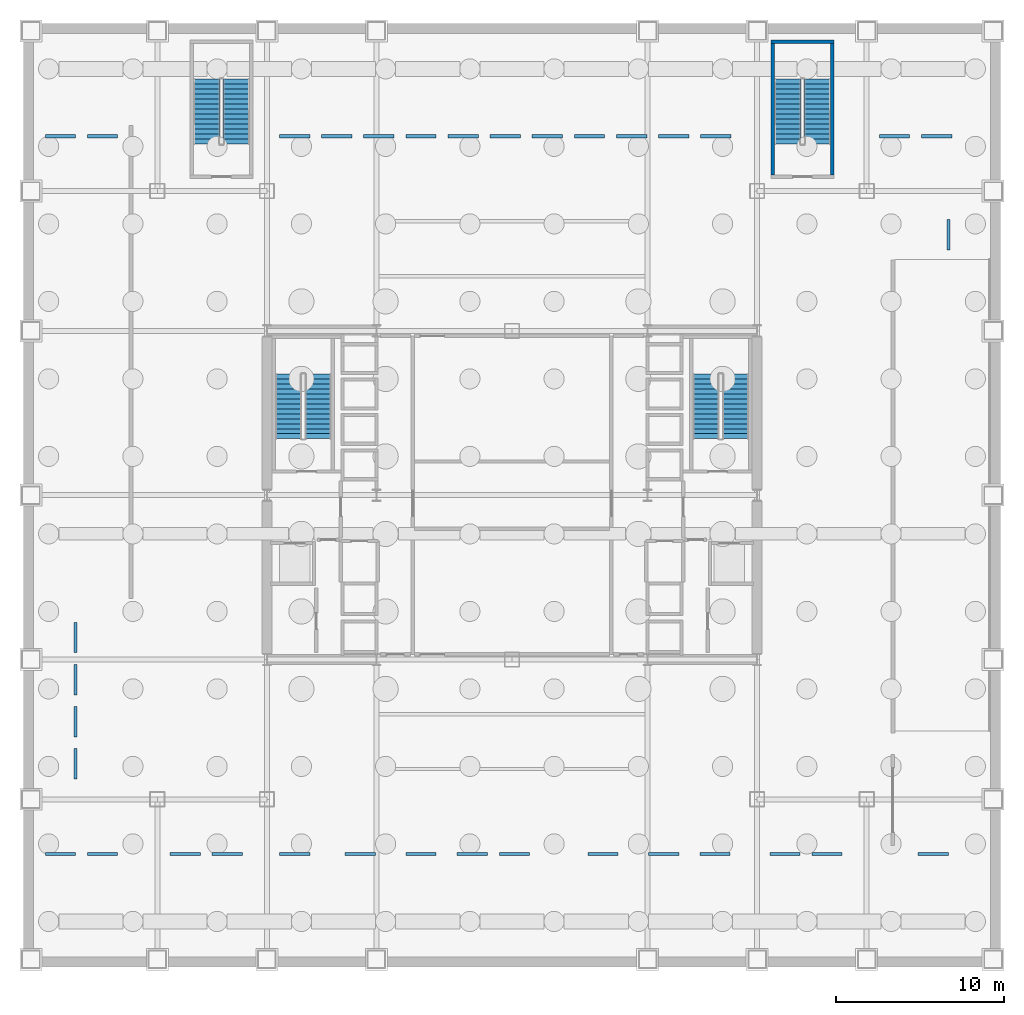
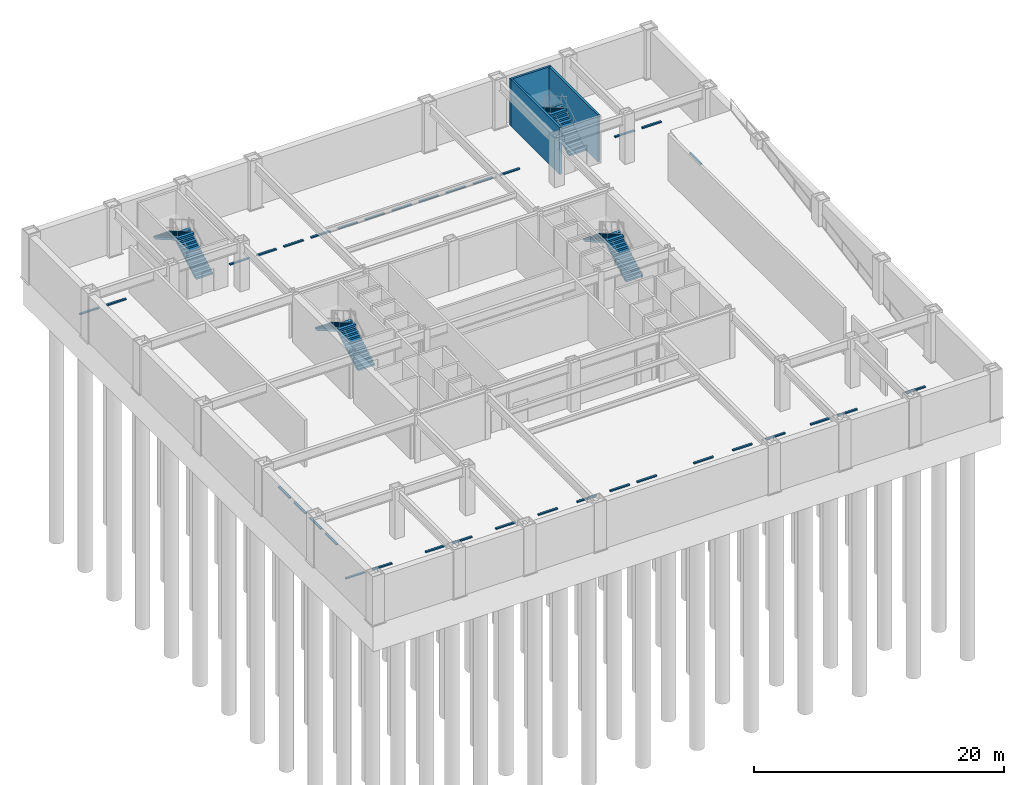
# One storey, part 5 of 8: 35 discrete accessories, 8 stair flights, 3 walls, 4 elements without a shape of their own.
"""IFC4 building model written with IfcOpenShell, lengths in metres."""

from ifc_helpers import new_model, si_unit, direction, frame, frame_2d, origin, origin_2d, place, context, subcontext, project, spatial, polyline, rectangle, outline, extrude, material, layer, layer_set, type_object, element, aggregate, save


model = new_model("IFC4")

# Units and contexts
model_context = context("Model", 3, precision=1e-05, world=origin(), true_north=direction((0.0, 1.0)))
body_context = subcontext(model_context, "Body", "Model", "MODEL_VIEW")
ifc_project = project(units=[si_unit("LENGTHUNIT", "METRE"), si_unit("AREAUNIT", "SQUARE_METRE"), si_unit("VOLUMEUNIT", "CUBIC_METRE"), si_unit("PLANEANGLEUNIT", "RADIAN"), si_unit("MASSUNIT", "GRAM", prefix="KILO")], contexts=[model_context])

# Site, building, storey
site_placement = place(None, origin())
site = spatial("IfcSite", under=ifc_project, at=site_placement, CompositionType="ELEMENT")
building_placement = place(site_placement, origin())
building = spatial("IfcBuilding", under=site, at=building_placement, Name="Brelmoor Portico Tower", CompositionType="ELEMENT")
storey_placement = place(building_placement, frame((0.0, 0.0, -9.60009765625)))
storey = spatial("IfcBuildingStorey", under=building, at=storey_placement, Name="B2", CompositionType="ELEMENT", Elevation=-9.60009765625)

# Walls
ifc_material_1 = material(Name="Concrete C40", Category="concrete")
ifc_layer = layer(ifc_material_1, 0.199951171875)
ifc_layer_set = layer_set([ifc_layer], Name="Concrete C40")
wall_type = type_object("IfcWallType", Name="WL-SHAFT-RC200", PredefinedType="SOLIDWALL", material=ifc_layer_set)
wall_placement = place(storey_placement, frame((15.3798828125, 26.89990234375, 0.0), z_axis=(0.0, 0.0, 1.0), x_axis=(1.0, 0.0, 0.0)))
element("IfcWall", 1, at=wall_placement, inside=storey, type_object=wall_type, Name="B2 ST-P2 Structural Stair Wall N", PredefinedType="SOLIDWALL", context=body_context, shape_type="SweptSolid", body=[
    extrude(rectangle(XDim=3.72021484375, YDim=0.199951171875, at=frame_2d((1.860107421875, 0.0))), origin(), (0.0, 0.0, 1.0), 4.580078125),
])
for number, where, z_axis, x_axis, name in (
    (2, (15.47998046875, 19.0, 0.0), (0.0, 0.0, 1.0), (0.0, 1.0, 0.0), "B2 ST-P2 Structural Stair Wall W"),
    (3, (19.0, 19.0, 0.0), (0.0, 0.0, 1.0), (0.0, 1.0, 0.0), "B2 ST-P2 Structural Stair Wall E"),
):
    element("IfcWall", number, at=place(storey_placement, frame(where, z_axis=z_axis, x_axis=x_axis)), inside=storey, type_object=wall_type, Name=name, PredefinedType="SOLIDWALL", context=body_context, shape_type="SweptSolid", body=[
        extrude(rectangle(XDim=7.800048828125, YDim=0.199951171875, at=frame_2d((3.89990234375, 0.0))), origin(), (0.0, 0.0, 1.0), 4.580078125),
    ])

# Stair, stair flights
stair_type_1 = type_object("IfcStairType", Name="ST-CORE-W", PredefinedType="HALF_TURN_STAIR", material=ifc_material_1)
stair_1_placement = place(storey_placement, origin())
stair_1 = element("IfcStair", 4, at=stair_1_placement, inside=storey, type_object=stair_type_1, Name="B2 Protected Core Exit Stair ST-W", PredefinedType="HALF_TURN_STAIR")
stair_flight_type = type_object("IfcStairFlightType", Name="SF-CORE-1850", PredefinedType="STRAIGHT", material=ifc_material_1)
stair_flight_1_placement = place(storey_placement, frame((-11.510009765625, 3.35009765625, 0.0), z_axis=(0.0, 0.0, 1.0), x_axis=(0.0, 1.0, 0.0)))
stair_flight_1 = element("IfcStairFlight", 5, at=stair_flight_1_placement, type_object=stair_flight_type, Name="ST-W flight 1", NumberOfRisers=14, NumberOfTreads=13, PredefinedType="STRAIGHT", RiserHeight=0.171428571, TreadLength=0.295, context=body_context, shape_type="SweptSolid", body=[
    extrude(outline(polyline([(0.0, 0.0), (0.0, 0.17138671875), (0.294921875, 0.17138671875), (0.294921875, 0.3427734375), (0.590087890625, 0.3427734375), (0.590087890625, 0.514404296875), (0.885009765625, 0.514404296875), (0.885009765625, 0.685791015625), (1.179931640625, 0.685791015625), (1.179931640625, 0.857177734375), (1.47509765625, 0.857177734375), (1.47509765625, 1.028564453125), (1.77001953125, 1.028564453125), (1.77001953125, 1.199951171875), (2.06494140625, 1.199951171875), (2.06494140625, 1.371337890625), (2.360107421875, 1.371337890625), (2.360107421875, 1.54296875), (2.655029296875, 1.54296875), (2.655029296875, 1.71435546875), (2.949951171875, 1.71435546875), (2.949951171875, 1.8857421875), (3.2451171875, 1.8857421875), (3.2451171875, 2.05712890625), (3.5400390625, 2.05712890625), (3.5400390625, 2.228515625), (3.8349609375, 2.228515625), (3.8349609375, 2.39990234375), (3.8349609375, 2.05517578125), (0.29833984375, 0.0), (0.0, 0.0)])), frame((0.0, 0.780029296875, 0.0), z_axis=(0.0, -1.0, 0.0), x_axis=(1.0, 0.0, 0.0)), (0.0, 0.0, 1.0), 1.56005859375),
])
stair_flight_2_placement = place(storey_placement, frame((-13.27001953125, 7.18505859375, 2.400146484375), z_axis=(0.0, 0.0, 1.0), x_axis=(0.0, -1.0, 0.0)))
stair_flight_2 = element("IfcStairFlight", 6, at=stair_flight_2_placement, type_object=stair_flight_type, Name="ST-W flight 2", NumberOfRisers=14, NumberOfTreads=13, PredefinedType="STRAIGHT", RiserHeight=0.171428571, TreadLength=0.295, context=body_context, shape_type="SweptSolid", body=[
    extrude(outline(polyline([(0.0, 0.0), (0.0, 0.17138671875), (0.294921875, 0.17138671875), (0.294921875, 0.3427734375), (0.590087890625, 0.3427734375), (0.590087890625, 0.514404296875), (0.885009765625, 0.514404296875), (0.885009765625, 0.685791015625), (1.179931640625, 0.685791015625), (1.179931640625, 0.857177734375), (1.47509765625, 0.857177734375), (1.47509765625, 1.028564453125), (1.77001953125, 1.028564453125), (1.77001953125, 1.199951171875), (2.06494140625, 1.199951171875), (2.06494140625, 1.371337890625), (2.360107421875, 1.371337890625), (2.360107421875, 1.54296875), (2.655029296875, 1.54296875), (2.655029296875, 1.71435546875), (2.949951171875, 1.71435546875), (2.949951171875, 1.8857421875), (3.2451171875, 1.8857421875), (3.2451171875, 2.05712890625), (3.5400390625, 2.05712890625), (3.5400390625, 2.228515625), (3.8349609375, 2.228515625), (3.8349609375, 2.39990234375), (3.8349609375, 2.05517578125), (0.29833984375, 0.0), (0.0, 0.0)])), frame((0.0, 0.780029296875, 0.0), z_axis=(0.0, -1.0, 0.0), x_axis=(1.0, 0.0, 0.0)), (0.0, 0.0, 1.0), 1.56005859375),
])
aggregate(stair_1, [stair_flight_1, stair_flight_2])

stair_type_2 = type_object("IfcStairType", Name="ST-CORE-E", PredefinedType="HALF_TURN_STAIR", material=ifc_material_1)
stair_2_placement = place(storey_placement, origin())
stair_2 = element("IfcStair", 7, at=stair_2_placement, inside=storey, type_object=stair_type_2, Name="B2 Protected Core Exit Stair ST-E", PredefinedType="HALF_TURN_STAIR")
stair_flight_3_placement = place(storey_placement, frame((13.27001953125, 3.35009765625, 0.0), z_axis=(0.0, 0.0, 1.0), x_axis=(0.0, 1.0, 0.0)))
stair_flight_3 = element("IfcStairFlight", 8, at=stair_flight_3_placement, type_object=stair_flight_type, Name="ST-E flight 1", NumberOfRisers=14, NumberOfTreads=13, PredefinedType="STRAIGHT", RiserHeight=0.171428571, TreadLength=0.295, context=body_context, shape_type="SweptSolid", body=[
    extrude(outline(polyline([(0.0, 0.0), (0.0, 0.17138671875), (0.294921875, 0.17138671875), (0.294921875, 0.3427734375), (0.590087890625, 0.3427734375), (0.590087890625, 0.514404296875), (0.885009765625, 0.514404296875), (0.885009765625, 0.685791015625), (1.179931640625, 0.685791015625), (1.179931640625, 0.857177734375), (1.47509765625, 0.857177734375), (1.47509765625, 1.028564453125), (1.77001953125, 1.028564453125), (1.77001953125, 1.199951171875), (2.06494140625, 1.199951171875), (2.06494140625, 1.371337890625), (2.360107421875, 1.371337890625), (2.360107421875, 1.54296875), (2.655029296875, 1.54296875), (2.655029296875, 1.71435546875), (2.949951171875, 1.71435546875), (2.949951171875, 1.8857421875), (3.2451171875, 1.8857421875), (3.2451171875, 2.05712890625), (3.5400390625, 2.05712890625), (3.5400390625, 2.228515625), (3.8349609375, 2.228515625), (3.8349609375, 2.39990234375), (3.8349609375, 2.05517578125), (0.29833984375, 0.0), (0.0, 0.0)])), frame((0.0, 0.780029296875, 0.0), z_axis=(0.0, -1.0, 0.0), x_axis=(1.0, 0.0, 0.0)), (0.0, 0.0, 1.0), 1.56005859375),
])
stair_flight_4_placement = place(storey_placement, frame((11.510009765625, 7.18505859375, 2.400146484375), z_axis=(0.0, 0.0, 1.0), x_axis=(0.0, -1.0, 0.0)))
stair_flight_4 = element("IfcStairFlight", 9, at=stair_flight_4_placement, type_object=stair_flight_type, Name="ST-E flight 2", NumberOfRisers=14, NumberOfTreads=13, PredefinedType="STRAIGHT", RiserHeight=0.171428571, TreadLength=0.295, context=body_context, shape_type="SweptSolid", body=[
    extrude(outline(polyline([(0.0, 0.0), (0.0, 0.17138671875), (0.294921875, 0.17138671875), (0.294921875, 0.3427734375), (0.590087890625, 0.3427734375), (0.590087890625, 0.514404296875), (0.885009765625, 0.514404296875), (0.885009765625, 0.685791015625), (1.179931640625, 0.685791015625), (1.179931640625, 0.857177734375), (1.47509765625, 0.857177734375), (1.47509765625, 1.028564453125), (1.77001953125, 1.028564453125), (1.77001953125, 1.199951171875), (2.06494140625, 1.199951171875), (2.06494140625, 1.371337890625), (2.360107421875, 1.371337890625), (2.360107421875, 1.54296875), (2.655029296875, 1.54296875), (2.655029296875, 1.71435546875), (2.949951171875, 1.71435546875), (2.949951171875, 1.8857421875), (3.2451171875, 1.8857421875), (3.2451171875, 2.05712890625), (3.5400390625, 2.05712890625), (3.5400390625, 2.228515625), (3.8349609375, 2.228515625), (3.8349609375, 2.39990234375), (3.8349609375, 2.05517578125), (0.29833984375, 0.0), (0.0, 0.0)])), frame((0.0, 0.780029296875, 0.0), z_axis=(0.0, -1.0, 0.0), x_axis=(1.0, 0.0, 0.0)), (0.0, 0.0, 1.0), 1.56005859375),
])
aggregate(stair_2, [stair_flight_3, stair_flight_4])

stair_type_3 = type_object("IfcStairType", Name="ST-POD-P1", PredefinedType="HALF_TURN_STAIR", material=ifc_material_1)
stair_3_placement = place(storey_placement, origin())
stair_3 = element("IfcStair", 10, at=stair_3_placement, inside=storey, type_object=stair_type_3, Name="B2 Podium Protected Exit Stair ST-P1", PredefinedType="HALF_TURN_STAIR")
stair_flight_5_placement = place(storey_placement, frame((-16.360107421875, 20.85009765625, 0.0), z_axis=(0.0, 0.0, 1.0), x_axis=(0.0, 1.0, 0.0)))
stair_flight_5 = element("IfcStairFlight", 11, at=stair_flight_5_placement, type_object=stair_flight_type, Name="ST-P1 flight 1", NumberOfRisers=14, NumberOfTreads=13, PredefinedType="STRAIGHT", RiserHeight=0.171428571, TreadLength=0.295, context=body_context, shape_type="SweptSolid", body=[
    extrude(outline(polyline([(0.0, 0.0), (0.0, 0.17138671875), (0.294921875, 0.17138671875), (0.294921875, 0.3427734375), (0.590087890625, 0.3427734375), (0.590087890625, 0.514404296875), (0.885009765625, 0.514404296875), (0.885009765625, 0.685791015625), (1.179931640625, 0.685791015625), (1.179931640625, 0.857177734375), (1.47509765625, 0.857177734375), (1.47509765625, 1.028564453125), (1.77001953125, 1.028564453125), (1.77001953125, 1.199951171875), (2.06494140625, 1.199951171875), (2.06494140625, 1.371337890625), (2.360107421875, 1.371337890625), (2.360107421875, 1.54296875), (2.655029296875, 1.54296875), (2.655029296875, 1.71435546875), (2.949951171875, 1.71435546875), (2.949951171875, 1.8857421875), (3.2451171875, 1.8857421875), (3.2451171875, 2.05712890625), (3.5400390625, 2.05712890625), (3.5400390625, 2.228515625), (3.8349609375, 2.228515625), (3.8349609375, 2.39990234375), (3.8349609375, 2.05517578125), (0.29833984375, 0.0), (0.0, 0.0)])), frame((0.0, 0.780029296875, 0.0), z_axis=(0.0, -1.0, 0.0), x_axis=(1.0, 0.0, 0.0)), (0.0, 0.0, 1.0), 1.56005859375),
])
stair_flight_6_placement = place(storey_placement, frame((-18.1201171875, 24.68505859375, 2.400146484375), z_axis=(0.0, 0.0, 1.0), x_axis=(0.0, -1.0, 0.0)))
stair_flight_6 = element("IfcStairFlight", 12, at=stair_flight_6_placement, type_object=stair_flight_type, Name="ST-P1 flight 2", NumberOfRisers=14, NumberOfTreads=13, PredefinedType="STRAIGHT", RiserHeight=0.171428571, TreadLength=0.295, context=body_context, shape_type="SweptSolid", body=[
    extrude(outline(polyline([(0.0, 0.0), (0.0, 0.17138671875), (0.294921875, 0.17138671875), (0.294921875, 0.3427734375), (0.590087890625, 0.3427734375), (0.590087890625, 0.514404296875), (0.885009765625, 0.514404296875), (0.885009765625, 0.685791015625), (1.179931640625, 0.685791015625), (1.179931640625, 0.857177734375), (1.47509765625, 0.857177734375), (1.47509765625, 1.028564453125), (1.77001953125, 1.028564453125), (1.77001953125, 1.199951171875), (2.06494140625, 1.199951171875), (2.06494140625, 1.371337890625), (2.360107421875, 1.371337890625), (2.360107421875, 1.54296875), (2.655029296875, 1.54296875), (2.655029296875, 1.71435546875), (2.949951171875, 1.71435546875), (2.949951171875, 1.8857421875), (3.2451171875, 1.8857421875), (3.2451171875, 2.05712890625), (3.5400390625, 2.05712890625), (3.5400390625, 2.228515625), (3.8349609375, 2.228515625), (3.8349609375, 2.39990234375), (3.8349609375, 2.05517578125), (0.29833984375, 0.0), (0.0, 0.0)])), frame((0.0, 0.780029296875, 0.0), z_axis=(0.0, -1.0, 0.0), x_axis=(1.0, 0.0, 0.0)), (0.0, 0.0, 1.0), 1.56005859375),
])
aggregate(stair_3, [stair_flight_5, stair_flight_6])

stair_type_4 = type_object("IfcStairType", Name="ST-POD-P2", PredefinedType="HALF_TURN_STAIR", material=ifc_material_1)
stair_4_placement = place(storey_placement, origin())
stair_4 = element("IfcStair", 13, at=stair_4_placement, inside=storey, type_object=stair_type_4, Name="B2 Podium Protected Exit Stair ST-P2", PredefinedType="HALF_TURN_STAIR")
stair_flight_7_placement = place(storey_placement, frame((18.1201171875, 20.85009765625, 0.0), z_axis=(0.0, 0.0, 1.0), x_axis=(0.0, 1.0, 0.0)))
stair_flight_7 = element("IfcStairFlight", 14, at=stair_flight_7_placement, type_object=stair_flight_type, Name="ST-P2 flight 1", NumberOfRisers=14, NumberOfTreads=13, PredefinedType="STRAIGHT", RiserHeight=0.171428571, TreadLength=0.295, context=body_context, shape_type="SweptSolid", body=[
    extrude(outline(polyline([(0.0, 0.0), (0.0, 0.17138671875), (0.294921875, 0.17138671875), (0.294921875, 0.3427734375), (0.590087890625, 0.3427734375), (0.590087890625, 0.514404296875), (0.885009765625, 0.514404296875), (0.885009765625, 0.685791015625), (1.179931640625, 0.685791015625), (1.179931640625, 0.857177734375), (1.47509765625, 0.857177734375), (1.47509765625, 1.028564453125), (1.77001953125, 1.028564453125), (1.77001953125, 1.199951171875), (2.06494140625, 1.199951171875), (2.06494140625, 1.371337890625), (2.360107421875, 1.371337890625), (2.360107421875, 1.54296875), (2.655029296875, 1.54296875), (2.655029296875, 1.71435546875), (2.949951171875, 1.71435546875), (2.949951171875, 1.8857421875), (3.2451171875, 1.8857421875), (3.2451171875, 2.05712890625), (3.5400390625, 2.05712890625), (3.5400390625, 2.228515625), (3.8349609375, 2.228515625), (3.8349609375, 2.39990234375), (3.8349609375, 2.05517578125), (0.29833984375, 0.0), (0.0, 0.0)])), frame((0.0, 0.780029296875, 0.0), z_axis=(0.0, -1.0, 0.0), x_axis=(1.0, 0.0, 0.0)), (0.0, 0.0, 1.0), 1.56005859375),
])
stair_flight_8_placement = place(storey_placement, frame((16.360107421875, 24.68505859375, 2.400146484375), z_axis=(0.0, 0.0, 1.0), x_axis=(0.0, -1.0, 0.0)))
stair_flight_8 = element("IfcStairFlight", 15, at=stair_flight_8_placement, type_object=stair_flight_type, Name="ST-P2 flight 2", NumberOfRisers=14, NumberOfTreads=13, PredefinedType="STRAIGHT", RiserHeight=0.171428571, TreadLength=0.295, context=body_context, shape_type="SweptSolid", body=[
    extrude(outline(polyline([(0.0, 0.0), (0.0, 0.17138671875), (0.294921875, 0.17138671875), (0.294921875, 0.3427734375), (0.590087890625, 0.3427734375), (0.590087890625, 0.514404296875), (0.885009765625, 0.514404296875), (0.885009765625, 0.685791015625), (1.179931640625, 0.685791015625), (1.179931640625, 0.857177734375), (1.47509765625, 0.857177734375), (1.47509765625, 1.028564453125), (1.77001953125, 1.028564453125), (1.77001953125, 1.199951171875), (2.06494140625, 1.199951171875), (2.06494140625, 1.371337890625), (2.360107421875, 1.371337890625), (2.360107421875, 1.54296875), (2.655029296875, 1.54296875), (2.655029296875, 1.71435546875), (2.949951171875, 1.71435546875), (2.949951171875, 1.8857421875), (3.2451171875, 1.8857421875), (3.2451171875, 2.05712890625), (3.5400390625, 2.05712890625), (3.5400390625, 2.228515625), (3.8349609375, 2.228515625), (3.8349609375, 2.39990234375), (3.8349609375, 2.05517578125), (0.29833984375, 0.0), (0.0, 0.0)])), frame((0.0, 0.780029296875, 0.0), z_axis=(0.0, -1.0, 0.0), x_axis=(1.0, 0.0, 0.0)), (0.0, 0.0, 1.0), 1.56005859375),
])
aggregate(stair_4, [stair_flight_7, stair_flight_8])

# Discrete accessories
ifc_material_2 = material(Name="Precast Concrete C40", Category="concrete")
discrete_accessory_type = type_object("IfcDiscreteAccessoryType", Name="AC-WHEEL-STOP", PredefinedType="USERDEFINED", material=ifc_material_2)
for number, where, z_axis, x_axis, name in (
    (16, (-26.800048828125, 21.300048828125, 0.0), (0.0, 0.0, 1.0), (1.0, 0.0, 0.0), "B2 Standard Car Parking Bay Wheel Stop PB-001"),
    (17, (-24.300048828125, 21.300048828125, 0.0), (0.0, 0.0, 1.0), (1.0, 0.0, 0.0), "B2 Standard Car Parking Bay Wheel Stop PB-002"),
    (18, (-12.89990234375, 21.300048828125, 0.0), (0.0, 0.0, 1.0), (1.0, 0.0, 0.0), "B2 Standard Car Parking Bay Wheel Stop PB-003"),
    (19, (-10.39990234375, 21.300048828125, 0.0), (0.0, 0.0, 1.0), (1.0, 0.0, 0.0), "B2 Standard Car Parking Bay Wheel Stop PB-004"),
    (20, (-7.89990234375, 21.300048828125, 0.0), (0.0, 0.0, 1.0), (1.0, 0.0, 0.0), "B2 Standard Car Parking Bay Wheel Stop PB-005"),
    (21, (-5.39990234375, 21.300048828125, 0.0), (0.0, 0.0, 1.0), (1.0, 0.0, 0.0), "B2 Standard Car Parking Bay Wheel Stop PB-006"),
    (22, (-2.89990234375, 21.300048828125, 0.0), (0.0, 0.0, 1.0), (1.0, 0.0, 0.0), "B2 Standard Car Parking Bay Wheel Stop PB-007"),
    (23, (-0.39990234375, 21.300048828125, 0.0), (0.0, 0.0, 1.0), (1.0, 0.0, 0.0), "B2 Standard Car Parking Bay Wheel Stop PB-008"),
    (24, (2.10009765625, 21.300048828125, 0.0), (0.0, 0.0, 1.0), (1.0, 0.0, 0.0), "B2 Standard Car Parking Bay Wheel Stop PB-009"),
    (25, (4.60009765625, 21.300048828125, 0.0), (0.0, 0.0, 1.0), (1.0, 0.0, 0.0), "B2 Standard Car Parking Bay Wheel Stop PB-010"),
    (26, (7.10009765625, 21.300048828125, 0.0), (0.0, 0.0, 1.0), (1.0, 0.0, 0.0), "B2 Standard Car Parking Bay Wheel Stop PB-011"),
    (27, (9.60009765625, 21.300048828125, 0.0), (0.0, 0.0, 1.0), (1.0, 0.0, 0.0), "B2 Standard Car Parking Bay Wheel Stop PB-012"),
    (28, (12.10009765625, 21.300048828125, 0.0), (0.0, 0.0, 1.0), (1.0, 0.0, 0.0), "B2 Standard Car Parking Bay Wheel Stop PB-013"),
    (29, (22.699951171875, 21.300048828125, 0.0), (0.0, 0.0, 1.0), (1.0, 0.0, 0.0), "B2 Standard Car Parking Bay Wheel Stop PB-014"),
    (30, (25.199951171875, 21.300048828125, 0.0), (0.0, 0.0, 1.0), (1.0, 0.0, 0.0), "B2 Standard Car Parking Bay Wheel Stop PB-015"),
    (31, (-26.800048828125, -21.300048828125, 0.0), (0.0, 0.0, 1.0), (1.0, 0.0, 0.0), "B2 Standard Car Parking Bay Wheel Stop PB-016"),
    (32, (-24.300048828125, -21.300048828125, 0.0), (0.0, 0.0, 1.0), (1.0, 0.0, 0.0), "B2 Standard Car Parking Bay Wheel Stop PB-017"),
    (33, (-19.39990234375, -21.300048828125, 0.0), (0.0, 0.0, 1.0), (1.0, 0.0, 0.0), "B2 Standard Car Parking Bay Wheel Stop PB-018"),
    (34, (-16.89990234375, -21.300048828125, 0.0), (0.0, 0.0, 1.0), (1.0, 0.0, 0.0), "B2 Standard Car Parking Bay Wheel Stop PB-019"),
    (35, (-12.89990234375, -21.300048828125, 0.0), (0.0, 0.0, 1.0), (1.0, 0.0, 0.0), "B2 Standard Car Parking Bay Wheel Stop PB-020"),
    (36, (-9.0, -21.300048828125, 0.0), (0.0, 0.0, 1.0), (1.0, 0.0, 0.0), "B2 Accessible Parking Bay Wheel Stop AP-01"),
    (37, (-5.39990234375, -21.300048828125, 0.0), (0.0, 0.0, 1.0), (1.0, 0.0, 0.0), "B2 Accessible Parking Bay Wheel Stop AP-02"),
    (38, (-2.35009765625, -21.300048828125, 0.0), (0.0, 0.0, 1.0), (1.0, 0.0, 0.0), "B2 Standard Car Parking Bay Wheel Stop PB-021"),
    (39, (0.14990234375, -21.300048828125, 0.0), (0.0, 0.0, 1.0), (1.0, 0.0, 0.0), "B2 Standard Car Parking Bay Wheel Stop PB-022"),
    (40, (5.39990234375, -21.300048828125, 0.0), (0.0, 0.0, 1.0), (1.0, 0.0, 0.0), "B2 Accessible Parking Bay Wheel Stop AP-03"),
    (41, (9.0, -21.300048828125, 0.0), (0.0, 0.0, 1.0), (1.0, 0.0, 0.0), "B2 Accessible Parking Bay Wheel Stop AP-04"),
    (42, (12.050048828125, -21.300048828125, 0.0), (0.0, 0.0, 1.0), (1.0, 0.0, 0.0), "B2 Standard Car Parking Bay Wheel Stop PB-023"),
    (43, (16.199951171875, -21.300048828125, 0.0), (0.0, 0.0, 1.0), (1.0, 0.0, 0.0), "B2 Standard Car Parking Bay Wheel Stop PB-024"),
    (44, (18.699951171875, -21.300048828125, 0.0), (0.0, 0.0, 1.0), (1.0, 0.0, 0.0), "B2 Standard Car Parking Bay Wheel Stop PB-025"),
    (45, (25.0, -21.300048828125, 0.0), (0.0, 0.0, 1.0), (1.0, 0.0, 0.0), "B2 Standard Car Parking Bay Wheel Stop PB-026"),
    (46, (-25.89990234375, -15.949951171875, 0.0), (0.0, 0.0, 1.0), (0.0, 1.0, 0.0), "B2 Standard Car Parking Bay Wheel Stop PB-027"),
    (47, (-25.89990234375, -13.449951171875, 0.0), (0.0, 0.0, 1.0), (0.0, 1.0, 0.0), "B2 Standard Car Parking Bay Wheel Stop PB-028"),
    (48, (-25.89990234375, -10.949951171875, 0.0), (0.0, 0.0, 1.0), (0.0, 1.0, 0.0), "B2 Standard Car Parking Bay Wheel Stop PB-029"),
    (49, (-25.89990234375, -8.449951171875, 0.0), (0.0, 0.0, 1.0), (0.0, 1.0, 0.0), "B2 Standard Car Parking Bay Wheel Stop PB-030"),
    (50, (25.89990234375, 15.449951171875, 0.0), (0.0, 0.0, 1.0), (0.0, 1.0, 0.0), "B2 Standard Car Parking Bay Wheel Stop PB-031"),
):
    element("IfcDiscreteAccessory", number, at=place(storey_placement, frame(where, z_axis=z_axis, x_axis=x_axis)), inside=storey, type_object=discrete_accessory_type, Name=name, ObjectType="WHEEL STOP", PredefinedType="USERDEFINED", context=body_context, shape_type="SweptSolid", body=[
        extrude(rectangle(XDim=1.800048828125, YDim=0.179931640625, at=origin_2d()), origin(), (0.0, 0.0, 1.0), 0.1201171875),
    ])

save(model, "model.ifc")
